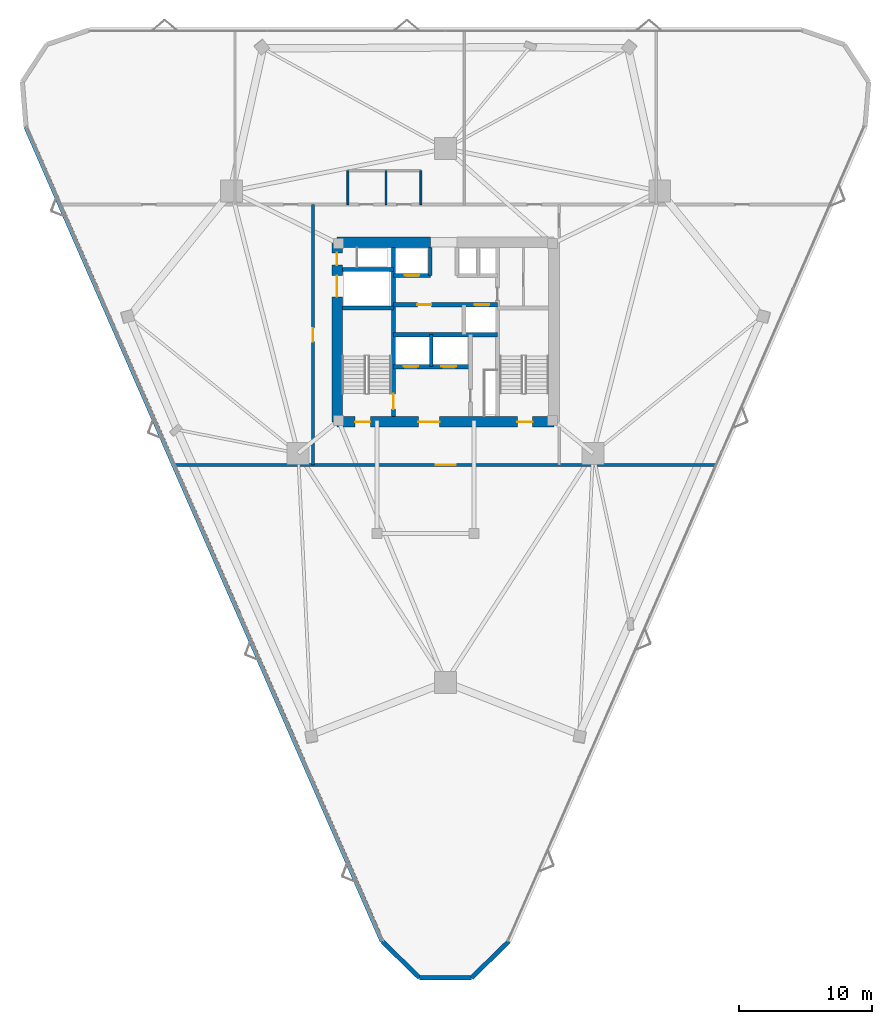
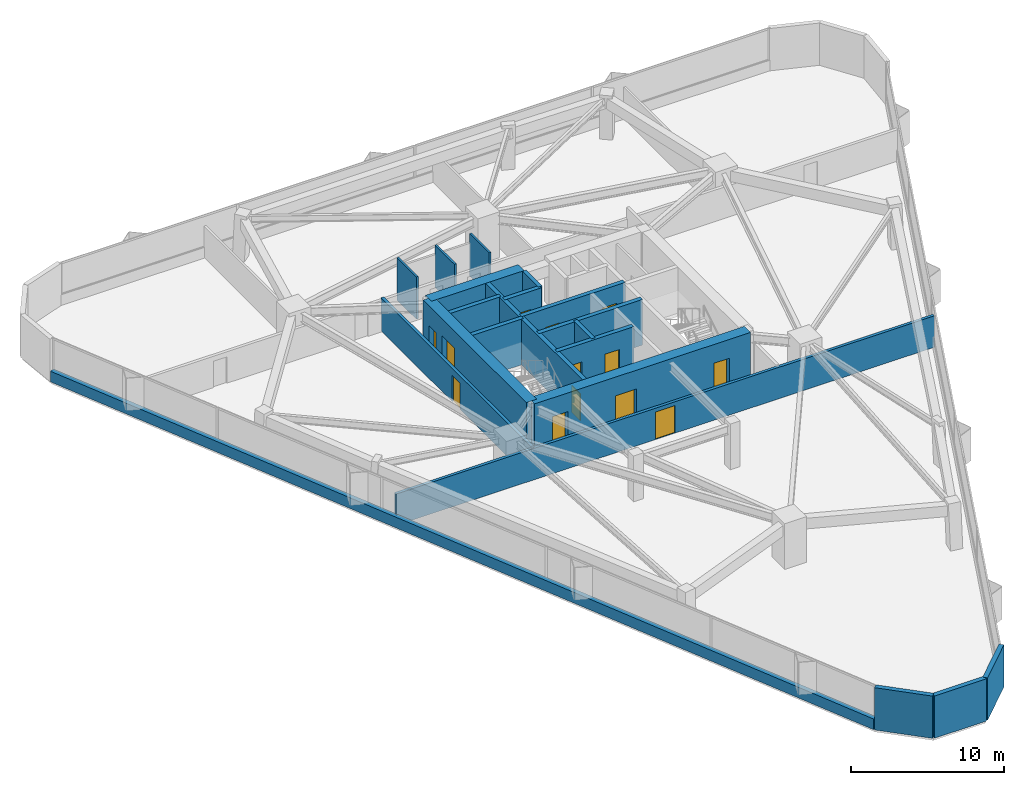
# One storey, part 15 of 19: 21 walls, 13 doors, 13 openings.
"""IFC4 building model written with IfcOpenShell, lengths in metres."""

from ifc_helpers import new_model, si_unit, direction, frame, frame_2d, origin, place, context, subcontext, project, spatial, rectangle, extrude, material, layer, layer_set, type_object, element, fill, save


model = new_model("IFC4")

# Units and contexts
model_context = context("Model", 3, precision=1e-05, world=origin(), true_north=direction((0.0, 1.0)))
body_context = subcontext(model_context, "Body", "Model", "MODEL_VIEW")
ifc_project = project(units=[si_unit("LENGTHUNIT", "METRE"), si_unit("AREAUNIT", "SQUARE_METRE"), si_unit("VOLUMEUNIT", "CUBIC_METRE"), si_unit("PLANEANGLEUNIT", "RADIAN"), si_unit("MASSUNIT", "GRAM", prefix="KILO")], contexts=[model_context])

# Site, building, storey
site_placement = place(None, origin())
site = spatial("IfcSite", under=ifc_project, at=site_placement, CompositionType="ELEMENT")
building_placement = place(site_placement, origin())
building = spatial("IfcBuilding", under=site, at=building_placement, Name="Talyreon Biosciences Tower", CompositionType="ELEMENT")
storey_placement = place(building_placement, frame((0.0, 0.0, 85.949951171875)))
storey = spatial("IfcBuildingStorey", under=building, at=storey_placement, Name="L22", CompositionType="ELEMENT", Elevation=85.949951171875)

# Walls
ifc_material_1 = material(Name="Concrete C50/60", Category="concrete")
ifc_layer_1 = layer(ifc_material_1, 0.280029296875)
ifc_layer_set_1 = layer_set([ifc_layer_1], Name="Concrete C50/60")
wall_type_1 = type_object("IfcWallType", Name="CoreShearWall_280", PredefinedType="SHEAR", material=ifc_layer_set_1)
wall_1_placement = place(storey_placement, frame((64.919921875, 65.39990234375, 0.0), z_axis=(0.0, 0.0, 1.0), x_axis=(0.0, 1.0, 0.0)))
element("IfcWall", 1, at=wall_1_placement, inside=storey, type_object=wall_type_1, Name="L22 Core Shaft Wall SWSHD1", PredefinedType="SHEAR", context=body_context, shape_type="SweptSolid", body=[
    extrude(rectangle(XDim=2.400146484375, YDim=0.280029296875, at=frame_2d((1.2001953125, 0.0))), origin(), (0.0, 0.0, 1.0), 3.650146484375),
])
wall_2_placement = place(storey_placement, frame((64.85009765625, 72.25, 0.0), z_axis=(0.0, 0.0, 1.0), x_axis=(0.0, 1.0, 0.0)))
element("IfcWall", 2, at=wall_2_placement, inside=storey, type_object=wall_type_1, Name="L22 Core Shaft Wall SWTHW", PredefinedType="SHEAR", context=body_context, shape_type="SweptSolid", body=[
    extrude(rectangle(XDim=2.10009765625, YDim=0.280029296875, at=frame_2d((1.050048828125, 0.0))), origin(), (0.0, 0.0, 1.0), 3.650146484375),
])

# Wall, opening, door
ifc_layer_2 = layer(ifc_material_1, 0.320068359375)
ifc_layer_set_2 = layer_set([ifc_layer_2], Name="Concrete C50/60")
wall_type_2 = type_object("IfcWallType", Name="CoreShearWall_320", PredefinedType="SHEAR", material=ifc_layer_set_2)
wall_3_placement = place(storey_placement, frame((62.090087890625, 61.64990234375, 0.0), z_axis=(0.0, 0.0, 1.0), x_axis=(0.0, 1.0, 0.0)))
wall_3 = element("IfcWall", 3, at=wall_3_placement, inside=storey, type_object=wall_type_2, Name="L22 Core Shaft Wall SW1E", PredefinedType="SHEAR", context=body_context, shape_type="SweptSolid", body=[
    extrude(rectangle(XDim=12.7001953125, YDim=0.320068359375, at=frame_2d((6.35009765625, 0.0))), origin(), (0.0, 0.0, 1.0), 3.650146484375),
])
opening_1_placement = place(wall_3_placement, frame((0.550048828125, 0.0, 0.0)))
opening_1 = element("IfcOpeningElement", 4, at=opening_1_placement, cuts=wall_3, Name="Opening DR-L22-FF-ST1", PredefinedType="OPENING", context=body_context, shape_type="SweptSolid", body=[
    extrude(rectangle(XDim=1.14990234375, YDim=2.14990234375, at=frame_2d((0.574951171875, 1.074951171875))), frame((0.0, 0.169921875, 0.0), z_axis=(0.0, -1.0, 0.0), x_axis=(1.0, 0.0, 0.0)), (0.0, 0.0, 1.0), 0.340087890625),
])
ifc_material_2 = material(Name="Painted steel fire door", Category="steel")
door_type_1 = type_object("IfcDoorType", Name="StairShaftFireDoor_1150x2150", OperationType="NOTDEFINED", PredefinedType="DOOR", material=ifc_material_2)
door_1_placement = place(opening_1_placement, origin())
door_1 = element("IfcDoor", 5, at=door_1_placement, inside=storey, type_object=door_type_1, Name="L22 Core Door DR-L22-FF-ST1", OperationType="SINGLE_SWING_LEFT", OverallHeight=2.14990234375, OverallWidth=1.14990234375, PredefinedType="DOOR", context=body_context, shape_type="SweptSolid", body=[
    extrude(rectangle(XDim=1.14990234375, YDim=2.14990234375, at=frame_2d((0.574951171875, 1.074951171875))), frame((0.0, 0.02490234375, 0.0), z_axis=(0.0, -1.0, 0.0), x_axis=(1.0, 0.0, 0.0)), (0.0, 0.0, 1.0), 0.050048828125),
])
fill(opening_1, door_1)

# Walls
for number, where, z_axis, x_axis, name in (
    (6, (58.25, 69.81005859375, 0.0), (0.0, 0.0, 1.0), (1.0, 0.0, 0.0), "L22 Core Shaft Wall SW1N"),
    (7, (58.25, 72.699951171875, 0.0), (0.0, 0.0, 1.0), (1.0, 0.0, 0.0), "L22 Core Shaft Wall SWGLN"),
):
    element("IfcWall", number, at=place(storey_placement, frame(where, z_axis=z_axis, x_axis=x_axis)), inside=storey, type_object=wall_type_2, Name=name, PredefinedType="SHEAR", context=body_context, shape_type="SweptSolid", body=[
        extrude(rectangle(XDim=3.840087890625, YDim=0.320068359375, at=frame_2d((1.919921875, 0.0))), origin(), (0.0, 0.0, 1.0), 3.650146484375),
    ])
wall_4_placement = place(storey_placement, frame((62.090087890625, 67.800048828125, 0.0), z_axis=(0.0, 0.0, 1.0), x_axis=(1.0, 0.0, 0.0)))
element("IfcWall", 8, at=wall_4_placement, inside=storey, type_object=wall_type_2, Name="L22 Core Shaft Wall SWSHM", PredefinedType="SHEAR", context=body_context, shape_type="SweptSolid", body=[
    extrude(rectangle(XDim=7.81982421875, YDim=0.320068359375, at=frame_2d((3.909912109375, 0.0))), origin(), (0.0, 0.0, 1.0), 3.650146484375),
])

# Wall, openings, doors
wall_5_placement = place(storey_placement, frame((62.090087890625, 70.050048828125, 0.0), z_axis=(0.0, 0.0, 1.0), x_axis=(1.0, 0.0, 0.0)))
wall_5 = element("IfcWall", 9, at=wall_5_placement, inside=storey, type_object=wall_type_2, Name="L22 Core Shaft Wall SWSPN", PredefinedType="SHEAR", context=body_context, shape_type="SweptSolid", body=[
    extrude(rectangle(XDim=7.81982421875, YDim=0.320068359375, at=frame_2d((3.909912109375, 0.0))), origin(), (0.0, 0.0, 1.0), 3.650146484375),
])
opening_2_placement = place(wall_5_placement, frame((1.800048828125, 0.0, 0.0)))
opening_2 = element("IfcOpeningElement", 10, at=opening_2_placement, cuts=wall_5, Name="Opening DR-L22-PLFREE-A", PredefinedType="OPENING", context=body_context, shape_type="SweptSolid", body=[
    extrude(rectangle(XDim=1.050048828125, YDim=2.14990234375, at=frame_2d((0.52490234375, 1.074951171875))), frame((0.0, 0.169921875, 0.0), z_axis=(0.0, -1.0, 0.0), x_axis=(1.0, 0.0, 0.0)), (0.0, 0.0, 1.0), 0.340087890625),
])
opening_3_placement = place(wall_5_placement, frame((6.10009765625, 0.0, 0.0)))
opening_3 = element("IfcOpeningElement", 11, at=opening_3_placement, cuts=wall_5, Name="Opening LD-L22-PM1", PredefinedType="OPENING", context=body_context, shape_type="SweptSolid", body=[
    extrude(rectangle(XDim=1.10009765625, YDim=2.199951171875, at=frame_2d((0.550048828125, 1.10009765625))), frame((0.0, 0.169921875, 0.0), z_axis=(0.0, -1.0, 0.0), x_axis=(1.0, 0.0, 0.0)), (0.0, 0.0, 1.0), 0.340087890625),
])
ifc_material_3 = material(Name="Acoustic timber-core laboratory door", Category="wood")
door_type_2 = type_object("IfcDoorType", Name="DryLabSingleDoor_1050x2150", OperationType="NOTDEFINED", PredefinedType="DOOR", material=ifc_material_3)
door_2_placement = place(opening_2_placement, origin())
door_2 = element("IfcDoor", 12, at=door_2_placement, inside=storey, type_object=door_type_2, Name="L22 Core Door DR-L22-PLFREE-A", OperationType="SINGLE_SWING_LEFT", OverallHeight=2.14990234375, OverallWidth=1.050048828125, PredefinedType="DOOR", context=body_context, shape_type="SweptSolid", body=[
    extrude(rectangle(XDim=1.050048828125, YDim=2.14990234375, at=frame_2d((0.52490234375, 1.074951171875))), frame((0.0, 0.02490234375, 0.0), z_axis=(0.0, -1.0, 0.0), x_axis=(1.0, 0.0, 0.0)), (0.0, 0.0, 1.0), 0.050048828125),
])
fill(opening_2, door_2)
ifc_material_4 = material(Name="Brushed stainless-steel lift landing door", Category="steel")
door_type_3 = type_object("IfcDoorType", Name="LiftSlidingLandingDoor_1100x2200", OperationType="SLIDING_TO_LEFT", PredefinedType="DOOR", material=ifc_material_4)
door_3_placement = place(opening_3_placement, origin())
door_3 = element("IfcDoor", 13, at=door_3_placement, inside=storey, type_object=door_type_3, Name="L22 Core Door LD-L22-PM1", OperationType="SLIDING_TO_LEFT", OverallHeight=2.199951171875, OverallWidth=1.10009765625, PredefinedType="DOOR", context=body_context, shape_type="SweptSolid", body=[
    extrude(rectangle(XDim=1.10009765625, YDim=2.199951171875, at=frame_2d((0.550048828125, 1.10009765625))), frame((0.0, 0.02490234375, 0.0), z_axis=(0.0, -1.0, 0.0), x_axis=(1.0, 0.0, 0.0)), (0.0, 0.0, 1.0), 0.050048828125),
])
fill(opening_3, door_3)

# Wall, opening, door
wall_6_placement = place(storey_placement, frame((62.090087890625, 72.25, 0.0), z_axis=(0.0, 0.0, 1.0), x_axis=(1.0, 0.0, 0.0)))
wall_6 = element("IfcWall", 14, at=wall_6_placement, inside=storey, type_object=wall_type_2, Name="L22 Core Shaft Wall SWNPW", PredefinedType="SHEAR", context=body_context, shape_type="SweptSolid", body=[
    extrude(rectangle(XDim=2.760009765625, YDim=0.320068359375, at=frame_2d((1.3798828125, 0.0))), origin(), (0.0, 0.0, 1.0), 3.650146484375),
])
opening_4_placement = place(wall_6_placement, frame((0.85009765625, 0.0, 0.0)))
opening_4 = element("IfcOpeningElement", 15, at=opening_4_placement, cuts=wall_6, Name="Opening LD-L22-PM2", PredefinedType="OPENING", context=body_context, shape_type="SweptSolid", body=[
    extrude(rectangle(XDim=1.10009765625, YDim=2.199951171875, at=frame_2d((0.550048828125, 1.10009765625))), frame((0.0, 0.169921875, 0.0), z_axis=(0.0, -1.0, 0.0), x_axis=(1.0, 0.0, 0.0)), (0.0, 0.0, 1.0), 0.340087890625),
])
door_4_placement = place(opening_4_placement, origin())
door_4 = element("IfcDoor", 16, at=door_4_placement, inside=storey, type_object=door_type_3, Name="L22 Core Door LD-L22-PM2", OperationType="SLIDING_TO_LEFT", OverallHeight=2.199951171875, OverallWidth=1.10009765625, PredefinedType="DOOR", context=body_context, shape_type="SweptSolid", body=[
    extrude(rectangle(XDim=1.10009765625, YDim=2.199951171875, at=frame_2d((0.550048828125, 1.10009765625))), frame((0.0, 0.02490234375, 0.0), z_axis=(0.0, -1.0, 0.0), x_axis=(1.0, 0.0, 0.0)), (0.0, 0.0, 1.0), 0.050048828125),
])
fill(opening_4, door_4)

# Wall, openings, doors
wall_7_placement = place(storey_placement, frame((62.090087890625, 65.39990234375, 0.0), z_axis=(0.0, 0.0, 1.0), x_axis=(1.0, 0.0, 0.0)))
wall_7 = element("IfcWall", 17, at=wall_7_placement, inside=storey, type_object=wall_type_2, Name="L22 Core Shaft Wall SWFFN", PredefinedType="SHEAR", context=body_context, shape_type="SweptSolid", body=[
    extrude(rectangle(XDim=5.789794921875, YDim=0.320068359375, at=frame_2d((2.89501953125, 0.0))), origin(), (0.0, 0.0, 1.0), 3.650146484375),
])
opening_5_placement = place(wall_7_placement, frame((0.75, 0.0, 0.0)))
opening_5 = element("IfcOpeningElement", 18, at=opening_5_placement, cuts=wall_7, Name="Opening LD-L22-FL1", PredefinedType="OPENING", context=body_context, shape_type="SweptSolid", body=[
    extrude(rectangle(XDim=1.10009765625, YDim=2.199951171875, at=frame_2d((0.550048828125, 1.10009765625))), frame((0.0, 0.169921875, 0.0), z_axis=(0.0, -1.0, 0.0), x_axis=(1.0, 0.0, 0.0)), (0.0, 0.0, 1.0), 0.340087890625),
])
opening_6_placement = place(wall_7_placement, frame((3.60009765625, 0.0, 0.0)))
opening_6 = element("IfcOpeningElement", 19, at=opening_6_placement, cuts=wall_7, Name="Opening LD-L22-FL2", PredefinedType="OPENING", context=body_context, shape_type="SweptSolid", body=[
    extrude(rectangle(XDim=1.10009765625, YDim=2.199951171875, at=frame_2d((0.550048828125, 1.10009765625))), frame((0.0, 0.169921875, 0.0), z_axis=(0.0, -1.0, 0.0), x_axis=(1.0, 0.0, 0.0)), (0.0, 0.0, 1.0), 0.340087890625),
])
door_5_placement = place(opening_5_placement, origin())
door_5 = element("IfcDoor", 20, at=door_5_placement, inside=storey, type_object=door_type_3, Name="L22 Core Door LD-L22-FL1", OperationType="SLIDING_TO_LEFT", OverallHeight=2.199951171875, OverallWidth=1.10009765625, PredefinedType="DOOR", context=body_context, shape_type="SweptSolid", body=[
    extrude(rectangle(XDim=1.10009765625, YDim=2.199951171875, at=frame_2d((0.550048828125, 1.10009765625))), frame((0.0, 0.02490234375, 0.0), z_axis=(0.0, -1.0, 0.0), x_axis=(1.0, 0.0, 0.0)), (0.0, 0.0, 1.0), 0.050048828125),
])
fill(opening_5, door_5)
door_6_placement = place(opening_6_placement, origin())
door_6 = element("IfcDoor", 21, at=door_6_placement, inside=storey, type_object=door_type_3, Name="L22 Core Door LD-L22-FL2", OperationType="SLIDING_TO_LEFT", OverallHeight=2.199951171875, OverallWidth=1.10009765625, PredefinedType="DOOR", context=body_context, shape_type="SweptSolid", body=[
    extrude(rectangle(XDim=1.10009765625, YDim=2.199951171875, at=frame_2d((0.550048828125, 1.10009765625))), frame((0.0, 0.02490234375, 0.0), z_axis=(0.0, -1.0, 0.0), x_axis=(1.0, 0.0, 0.0)), (0.0, 0.0, 1.0), 0.050048828125),
])
fill(opening_6, door_6)

ifc_material_5 = material(Name="Concrete C60/75", Category="concrete")
ifc_layer_3 = layer(ifc_material_5, 0.800048828125)
ifc_layer_set_3 = layer_set([ifc_layer_3], Name="Concrete C60/75")
wall_type_3 = type_object("IfcWallType", Name="CoreShearWall_800", PredefinedType="SHEAR", material=ifc_layer_set_3)
wall_8_placement = place(storey_placement, frame((57.85009765625, 61.25, 0.0), z_axis=(0.0, 0.0, 1.0), x_axis=(1.0, 0.0, 0.0)))
wall_8 = element("IfcWall", 22, at=wall_8_placement, inside=storey, type_object=wall_type_3, Name="L22 Core Shear Wall S", PredefinedType="SHEAR", context=body_context, shape_type="SweptSolid", body=[
    extrude(rectangle(XDim=16.2998046875, YDim=0.800048828125, at=frame_2d((8.14990234375, 0.0))), origin(), (0.0, 0.0, 1.0), 3.650146484375),
])
opening_7_placement = place(wall_8_placement, frame((1.35009765625, 0.0, 0.0)))
opening_7 = element("IfcOpeningElement", 23, at=opening_7_placement, cuts=wall_8, Name="Opening DR-L22-ST1", PredefinedType="OPENING", context=body_context, shape_type="SweptSolid", body=[
    extrude(rectangle(XDim=1.14990234375, YDim=2.14990234375, at=frame_2d((0.574951171875, 1.074951171875))), frame((0.0, 0.409912109375, 0.0), z_axis=(0.0, -1.0, 0.0), x_axis=(1.0, 0.0, 0.0)), (0.0, 0.0, 1.0), 0.820068359375),
])
opening_8_placement = place(wall_8_placement, frame((6.10009765625, 0.0, 0.0)))
opening_8 = element("IfcOpeningElement", 24, at=opening_8_placement, cuts=wall_8, Name="Opening DR-L22-FFL", PredefinedType="OPENING", context=body_context, shape_type="SweptSolid", body=[
    extrude(rectangle(XDim=1.60009765625, YDim=2.14990234375, at=frame_2d((0.800048828125, 1.074951171875))), frame((0.0, 0.409912109375, 0.0), z_axis=(0.0, -1.0, 0.0), x_axis=(1.0, 0.0, 0.0)), (0.0, 0.0, 1.0), 0.820068359375),
])
opening_9_placement = place(wall_8_placement, frame((13.550048828125, 0.0, 0.0)))
opening_9 = element("IfcOpeningElement", 25, at=opening_9_placement, cuts=wall_8, Name="Opening DR-L22-ST2", PredefinedType="OPENING", context=body_context, shape_type="SweptSolid", body=[
    extrude(rectangle(XDim=1.14990234375, YDim=2.14990234375, at=frame_2d((0.574951171875, 1.074951171875))), frame((0.0, 0.409912109375, 0.0), z_axis=(0.0, -1.0, 0.0), x_axis=(1.0, 0.0, 0.0)), (0.0, 0.0, 1.0), 0.820068359375),
])
ifc_material_6 = material(Name="Painted steel smoke-seal fire door", Category="steel")
door_type_4 = type_object("IfcDoorType", Name="FirefightingLobbyDoubleDoor_1600x2150", OperationType="DOUBLE_DOOR_SINGLE_SWING", PredefinedType="DOOR", material=ifc_material_6)
door_7_placement = place(opening_8_placement, origin())
door_7 = element("IfcDoor", 26, at=door_7_placement, inside=storey, type_object=door_type_4, Name="L22 Core Door DR-L22-FFL", OperationType="DOUBLE_DOOR_SINGLE_SWING", OverallHeight=2.14990234375, OverallWidth=1.60009765625, PredefinedType="DOOR", context=body_context, shape_type="SweptSolid", body=[
    extrude(rectangle(XDim=1.60009765625, YDim=2.14990234375, at=frame_2d((0.800048828125, 1.074951171875))), frame((0.0, 0.02490234375, 0.0), z_axis=(0.0, -1.0, 0.0), x_axis=(1.0, 0.0, 0.0)), (0.0, 0.0, 1.0), 0.050048828125),
])
fill(opening_8, door_7)
door_8_placement = place(opening_7_placement, origin())
door_8 = element("IfcDoor", 27, at=door_8_placement, inside=storey, type_object=door_type_1, Name="L22 Core Door DR-L22-ST1", OperationType="SINGLE_SWING_LEFT", OverallHeight=2.14990234375, OverallWidth=1.14990234375, PredefinedType="DOOR", context=body_context, shape_type="SweptSolid", body=[
    extrude(rectangle(XDim=1.14990234375, YDim=2.14990234375, at=frame_2d((0.574951171875, 1.074951171875))), frame((0.0, 0.02490234375, 0.0), z_axis=(0.0, -1.0, 0.0), x_axis=(1.0, 0.0, 0.0)), (0.0, 0.0, 1.0), 0.050048828125),
])
fill(opening_7, door_8)
door_9_placement = place(opening_9_placement, origin())
door_9 = element("IfcDoor", 28, at=door_9_placement, inside=storey, type_object=door_type_1, Name="L22 Core Door DR-L22-ST2", OperationType="SINGLE_SWING_RIGHT", OverallHeight=2.14990234375, OverallWidth=1.14990234375, PredefinedType="DOOR", context=body_context, shape_type="SweptSolid", body=[
    extrude(rectangle(XDim=1.14990234375, YDim=2.14990234375, at=frame_2d((0.574951171875, 1.074951171875))), frame((0.0, 0.02490234375, 0.0), z_axis=(0.0, -1.0, 0.0), x_axis=(1.0, 0.0, 0.0)), (0.0, 0.0, 1.0), 0.050048828125),
])
fill(opening_9, door_9)

# Wall
wall_9_placement = place(storey_placement, frame((64.85009765625, 74.75, 0.0), z_axis=(0.0, 0.0, 1.0), x_axis=(-1.0, 0.0, 0.0)))
element("IfcWall", 29, at=wall_9_placement, inside=storey, type_object=wall_type_3, Name="L22 Core Shear Wall NW", PredefinedType="SHEAR", context=body_context, shape_type="SweptSolid", body=[
    extrude(rectangle(XDim=7.0, YDim=0.800048828125, at=frame_2d((3.5, 0.0))), origin(), (0.0, 0.0, 1.0), 3.650146484375),
])

# Wall, openings, doors
wall_10_placement = place(storey_placement, frame((57.85009765625, 74.75, 0.0), z_axis=(0.0, 0.0, 1.0), x_axis=(0.0, -1.0, 0.0)))
wall_10 = element("IfcWall", 30, at=wall_10_placement, inside=storey, type_object=wall_type_3, Name="L22 Core Shear Wall W", PredefinedType="SHEAR", context=body_context, shape_type="SweptSolid", body=[
    extrude(rectangle(XDim=13.5, YDim=0.800048828125, at=frame_2d((6.75, 0.0))), origin(), (0.0, 0.0, 1.0), 3.650146484375),
])
opening_10_placement = place(wall_10_placement, frame((0.800048828125, 0.0, 0.0)))
opening_10 = element("IfcOpeningElement", 31, at=opening_10_placement, cuts=wall_10, Name="Opening DR-L22-RSW", PredefinedType="OPENING", context=body_context, shape_type="SweptSolid", body=[
    extrude(rectangle(XDim=0.919921875, YDim=2.050048828125, at=frame_2d((0.4599609375, 1.02490234375))), frame((0.0, 0.409912109375, 0.0), z_axis=(0.0, -1.0, 0.0), x_axis=(1.0, 0.0, 0.0)), (0.0, 0.0, 1.0), 0.820068359375),
])
opening_11_placement = place(wall_10_placement, frame((2.5, 0.0, 0.0)))
opening_11 = element("IfcOpeningElement", 32, at=opening_11_placement, cuts=wall_10, Name="Opening LD-L22-GL1", PredefinedType="OPENING", context=body_context, shape_type="SweptSolid", body=[
    extrude(rectangle(XDim=1.60009765625, YDim=2.300048828125, at=frame_2d((0.800048828125, 1.14990234375))), frame((0.0, 0.409912109375, 0.0), z_axis=(0.0, -1.0, 0.0), x_axis=(1.0, 0.0, 0.0)), (0.0, 0.0, 1.0), 0.820068359375),
])
ifc_material_7 = material(Name="Heavy-duty stainless-steel goods lift door", Category="steel")
door_type_5 = type_object("IfcDoorType", Name="GoodsLiftSlidingDoor_1600x2300", OperationType="DOUBLE_DOOR_SLIDING", PredefinedType="DOOR", material=ifc_material_7)
door_10_placement = place(opening_11_placement, origin())
door_10 = element("IfcDoor", 33, at=door_10_placement, inside=storey, type_object=door_type_5, Name="L22 Core Door LD-L22-GL1", OperationType="DOUBLE_DOOR_SLIDING", OverallHeight=2.300048828125, OverallWidth=1.60009765625, PredefinedType="DOOR", context=body_context, shape_type="SweptSolid", body=[
    extrude(rectangle(XDim=1.60009765625, YDim=2.300048828125, at=frame_2d((0.800048828125, 1.14990234375))), frame((0.0, 0.02490234375, 0.0), z_axis=(0.0, -1.0, 0.0), x_axis=(1.0, 0.0, 0.0)), (0.0, 0.0, 1.0), 0.050048828125),
])
fill(opening_11, door_10)
ifc_material_8 = material(Name="Painted steel fire-rated riser door", Category="steel")
door_type_6 = type_object("IfcDoorType", Name="RiserPlantAccessDoor_920x2050", OperationType="NOTDEFINED", PredefinedType="DOOR", material=ifc_material_8)
door_11_placement = place(opening_10_placement, origin())
door_11 = element("IfcDoor", 34, at=door_11_placement, inside=storey, type_object=door_type_6, Name="L22 Core Door DR-L22-RSW", OperationType="SINGLE_SWING_LEFT", OverallHeight=2.050048828125, OverallWidth=0.919921875, PredefinedType="DOOR", context=body_context, shape_type="SweptSolid", body=[
    extrude(rectangle(XDim=0.919921875, YDim=2.050048828125, at=frame_2d((0.4599609375, 1.02490234375))), frame((0.0, 0.02490234375, 0.0), z_axis=(0.0, -1.0, 0.0), x_axis=(1.0, 0.0, 0.0)), (0.0, 0.0, 1.0), 0.050048828125),
])
fill(opening_10, door_11)

# Wall, opening, door
ifc_material_9 = material(Name="Gypsum fireboard acoustic stud", Category="gypsum")
ifc_layer_4 = layer(ifc_material_9, 0.219970703125)
ifc_layer_set_4 = layer_set([ifc_layer_4], Name="Gypsum fireboard acoustic stud")
wall_type_4 = type_object("IfcWallType", Name="CorridorRatedPartition_220", PredefinedType="PARTITIONING", material=ifc_layer_set_4)
wall_11_placement = place(storey_placement, frame((45.668212890625, 58.0, 0.0), z_axis=(0.0, 0.0, 1.0), x_axis=(1.0, 0.0, 0.0)))
wall_11 = element("IfcWall", 35, at=wall_11_placement, inside=storey, type_object=wall_type_4, Name="L22 Interior Wall IW-L22-COR-S", PredefinedType="PARTITIONING", context=body_context, shape_type="SweptSolid", body=[
    extrude(rectangle(XDim=40.66357421875, YDim=0.219970703125, at=frame_2d((20.331787109375, 0.0))), origin(), (0.0, 0.0, 1.0), 2.505126953125),
])
opening_12_placement = place(wall_11_placement, frame((19.58203125, 0.0, 0.0)))
opening_12 = element("IfcOpeningElement", 36, at=opening_12_placement, cuts=wall_11, Name="Opening DR-L22-S1A", PredefinedType="OPENING", context=body_context, shape_type="SweptSolid", body=[
    extrude(rectangle(XDim=1.5, YDim=2.199951171875, at=frame_2d((0.75, 1.10009765625))), frame((0.0, 0.119873046875, 0.0), z_axis=(0.0, -1.0, 0.0), x_axis=(1.0, 0.0, 0.0)), (0.0, 0.0, 1.0), 0.239990234375),
])
ifc_material_10 = material(Name="Vision-panel steel laboratory fire door", Category="steel")
door_type_7 = type_object("IfcDoorType", Name="WetLabDoubleLeafDoor_1500x2200", OperationType="DOUBLE_DOOR_SINGLE_SWING", PredefinedType="DOOR", material=ifc_material_10)
door_12_placement = place(opening_12_placement, origin())
door_12 = element("IfcDoor", 37, at=door_12_placement, inside=storey, type_object=door_type_7, Name="L22 Interior Door DR-L22-S1A", OperationType="DOUBLE_DOOR_SINGLE_SWING", OverallHeight=2.199951171875, OverallWidth=1.5, PredefinedType="DOOR", context=body_context, shape_type="SweptSolid", body=[
    extrude(rectangle(XDim=1.5, YDim=2.199951171875, at=frame_2d((0.75, 1.10009765625))), frame((0.0, 0.02490234375, 0.0), z_axis=(0.0, -1.0, 0.0), x_axis=(1.0, 0.0, 0.0)), (0.0, 0.0, 1.0), 0.050048828125),
])
fill(opening_12, door_12)

wall_12_placement = place(storey_placement, frame((56.030029296875, 58.0, 0.0), z_axis=(0.0, 0.0, 1.0), x_axis=(0.0, 1.0, 0.0)))
wall_12 = element("IfcWall", 38, at=wall_12_placement, inside=storey, type_object=wall_type_4, Name="L22 Interior Wall IW-L22-COR-W", PredefinedType="PARTITIONING", context=body_context, shape_type="SweptSolid", body=[
    extrude(rectangle(XDim=19.580078125, YDim=0.219970703125, at=frame_2d((9.7900390625, 0.0))), origin(), (0.0, 0.0, 1.0), 2.655029296875),
])
opening_13_placement = place(wall_12_placement, frame((9.2900390625, 0.0, 0.0)))
opening_13 = element("IfcOpeningElement", 39, at=opening_13_placement, cuts=wall_12, Name="Opening DR-L22-W1A", PredefinedType="OPENING", context=body_context, shape_type="SweptSolid", body=[
    extrude(rectangle(XDim=1.0, YDim=2.10009765625, at=frame_2d((0.5, 1.050048828125))), frame((0.0, 0.119873046875, 0.0), z_axis=(0.0, -1.0, 0.0), x_axis=(1.0, 0.0, 0.0)), (0.0, 0.0, 1.0), 0.239990234375),
])
ifc_material_11 = material(Name="Acoustic oak veneer office door", Category="wood")
door_type_8 = type_object("IfcDoorType", Name="WriteupOfficeDoor_1000x2100", OperationType="NOTDEFINED", PredefinedType="DOOR", material=ifc_material_11)
door_13_placement = place(opening_13_placement, origin())
door_13 = element("IfcDoor", 40, at=door_13_placement, inside=storey, type_object=door_type_8, Name="L22 Interior Door DR-L22-W1A", OperationType="SINGLE_SWING_RIGHT", OverallHeight=2.10009765625, OverallWidth=1.0, PredefinedType="DOOR", context=body_context, shape_type="SweptSolid", body=[
    extrude(rectangle(XDim=1.0, YDim=2.10009765625, at=frame_2d((0.5, 1.050048828125))), frame((0.0, 0.02490234375, 0.0), z_axis=(0.0, -1.0, 0.0), x_axis=(1.0, 0.0, 0.0)), (0.0, 0.0, 1.0), 0.050048828125),
])
fill(opening_13, door_13)

# Walls
ifc_material_12 = material(Name="Precast concrete C45/55", Category="concrete")
ifc_layer_5 = layer(ifc_material_12, 0.340087890625)
ifc_layer_set_5 = layer_set([ifc_layer_5], Name="Precast concrete C45/55")
wall_type_5 = type_object("IfcWallType", Name="PrecastConcreteSpandrelWall_340", PredefinedType="STANDARD", material=ifc_layer_set_5)
wall_13_placement = place(storey_placement, frame((61.235595703125, 22.191162109375, 0.0), z_axis=(0.0, 0.0, 1.0), x_axis=(-0.400686629733, 0.916215162914, 0.0)))
element("IfcWall", 41, at=wall_13_placement, inside=storey, type_object=wall_type_5, Name="L22 Expressed Concrete Sill Wall 00", PredefinedType="STANDARD", context=body_context, shape_type="SweptSolid", body=[
    extrude(rectangle(XDim=66.84619140625, YDim=0.340087890625, at=frame_2d((33.423095703125, 0.0))), origin(), (0.0, 0.0, 1.0), 0.85009765625),
])
wall_14_placement = place(storey_placement, frame((70.764404296875, 22.191162109375, 0.0), z_axis=(0.0, 0.0, 1.0), x_axis=(-0.716301473577, -0.697790942153, 0.0)))
element("IfcWall", 42, at=wall_14_placement, inside=storey, type_object=wall_type_5, Name="L22 Rounded-Corner Concrete Pier 09", PredefinedType="STANDARD", context=body_context, shape_type="SweptSolid", body=[
    extrude(rectangle(XDim=3.917236328125, YDim=0.340087890625, at=frame_2d((1.95849609375, 0.0))), origin(), (0.0, 0.0, 1.0), 3.375),
])
wall_15_placement = place(storey_placement, frame((67.95849609375, 19.457763671875, 0.0), z_axis=(0.0, 0.0, 1.0), x_axis=(-1.0, 0.0, 0.0)))
element("IfcWall", 43, at=wall_15_placement, inside=storey, type_object=wall_type_5, Name="L22 Rounded-Corner Concrete Pier 10", PredefinedType="STANDARD", context=body_context, shape_type="SweptSolid", body=[
    extrude(rectangle(XDim=3.9169921875, YDim=0.340087890625, at=frame_2d((1.95849609375, 0.0))), origin(), (0.0, 0.0, 1.0), 3.375),
])
wall_16_placement = place(storey_placement, frame((64.04150390625, 19.457763671875, 0.0), z_axis=(0.0, 0.0, 1.0), x_axis=(-0.716301473577, 0.697790942153, 0.0)))
element("IfcWall", 44, at=wall_16_placement, inside=storey, type_object=wall_type_5, Name="L22 Rounded-Corner Concrete Pier 11", PredefinedType="STANDARD", context=body_context, shape_type="SweptSolid", body=[
    extrude(rectangle(XDim=3.917236328125, YDim=0.340087890625, at=frame_2d((1.95849609375, 0.0))), origin(), (0.0, 0.0, 1.0), 3.375),
])
ifc_material_13 = material(Name="Moisture-resistant cement-board stud", Category="gypsum")
ifc_layer_6 = layer(ifc_material_13, 0.14501953125)
ifc_layer_set_6 = layer_set([ifc_layer_6], Name="Moisture-resistant cement-board stud")
wall_type_6 = type_object("IfcWallType", Name="WetRoomPartition_145", PredefinedType="PARTITIONING", material=ifc_layer_set_6)
for number, where, z_axis, x_axis, name in (
    (45, (58.64990234375, 77.580078125, 0.0), (0.0, 0.0, 1.0), (0.0, 1.0, 0.0), "L22 Interior Wall IW-L22-WCL"),
    (46, (61.52490234375, 77.580078125, 0.0), (0.0, 0.0, 1.0), (0.0, 1.0, 0.0), "L22 Interior Wall IW-L22-WCM"),
    (47, (64.14990234375, 77.580078125, 0.0), (0.0, 0.0, 1.0), (0.0, 1.0, 0.0), "L22 Interior Wall IW-L22-WCR"),
):
    element("IfcWall", number, at=place(storey_placement, frame(where, z_axis=z_axis, x_axis=x_axis)), inside=storey, type_object=wall_type_6, Name=name, PredefinedType="PARTITIONING", context=body_context, shape_type="SweptSolid", body=[
        extrude(rectangle(XDim=2.5498046875, YDim=0.14501953125, at=frame_2d((1.27490234375, 0.0))), origin(), (0.0, 0.0, 1.0), 3.375),
    ])

save(model, "model.ifc")
